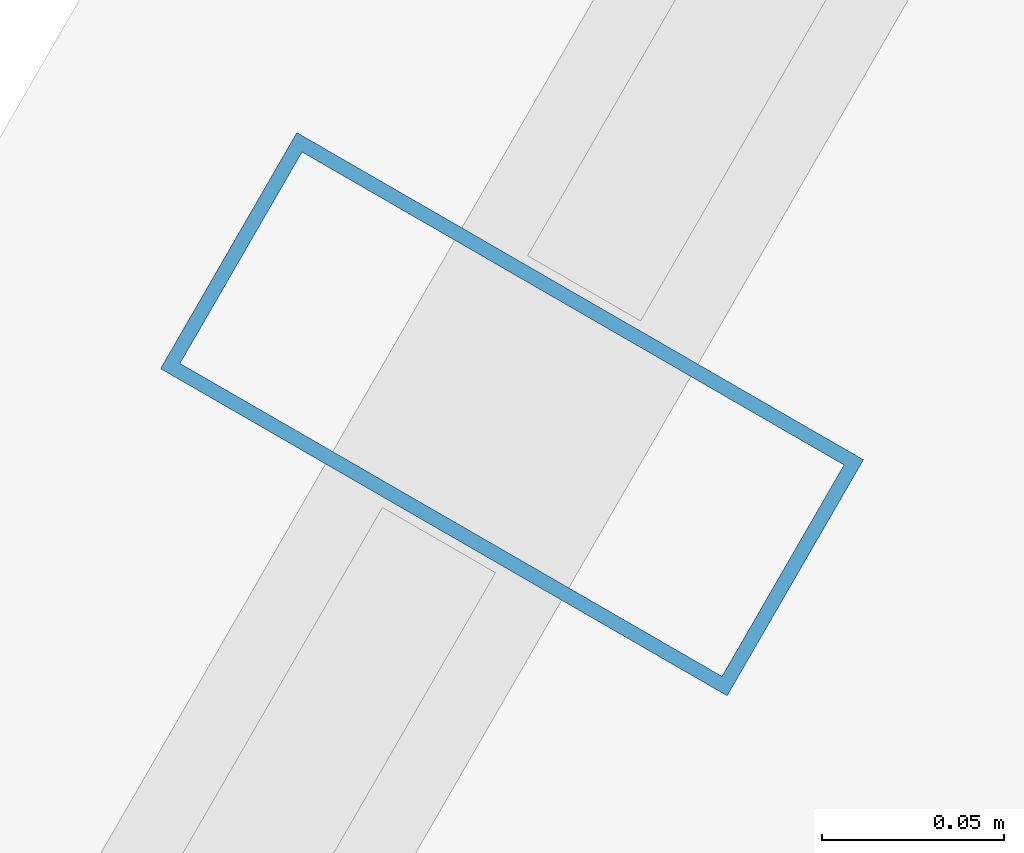
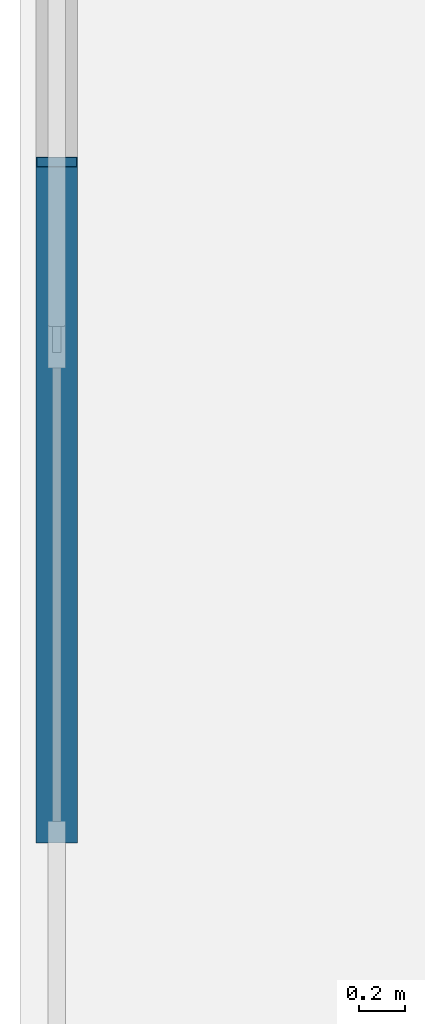
# One storey, part 13 of 31: 1 member, 1 element without a shape of its own.
"""IFC4 building model written with IfcOpenShell, lengths in metres."""

from ifc_helpers import new_model, si_unit, direction, frame, origin, origin_2d, place, context, subcontext, project, spatial, hollow_rectangle, extrude, material, layer, layer_set, material_profile, profile_set, type_object, element, aggregate, save


model = new_model("IFC4")

# Units and contexts
model_context = context("Model", 3, precision=1e-05, world=origin(), true_north=direction((0.0, 1.0)))
body_context = subcontext(model_context, "Body", "Model", "MODEL_VIEW")
ifc_project = project(units=[si_unit("LENGTHUNIT", "METRE"), si_unit("AREAUNIT", "SQUARE_METRE"), si_unit("VOLUMEUNIT", "CUBIC_METRE"), si_unit("PLANEANGLEUNIT", "RADIAN"), si_unit("MASSUNIT", "GRAM", prefix="KILO")], contexts=[model_context])

# Site, building, storey
site_placement = place(None, origin())
site = spatial("IfcSite", under=ifc_project, at=site_placement, CompositionType="ELEMENT")
building_placement = place(site_placement, origin())
building = spatial("IfcBuilding", under=site, at=building_placement, Name="Ndaravel Arena Tower", CompositionType="ELEMENT")
storey_placement = place(building_placement, frame((0.0, 0.0, 146.0)))
storey = spatial("IfcBuildingStorey", under=building, at=storey_placement, Name="L34", CompositionType="ELEMENT", Elevation=146.0)

# Curtain wall, member
ifc_material_1 = material(Name="Aluminium", Category="aluminium")
ifc_layer = layer(ifc_material_1, 0.179931640625)
ifc_layer_set = layer_set([ifc_layer], Name="Aluminium")
curtain_wall_type = type_object("IfcCurtainWallType", Name="CW-SYS-03", PredefinedType="NOTDEFINED", material=ifc_layer_set)
curtain_wall_placement = place(storey_placement, origin())
curtain_wall = element("IfcCurtainWall", 1, at=curtain_wall_placement, inside=storey, type_object=curtain_wall_type, Name="L34 Faceted Crystal Curtain Wall CW-L34-E05", PredefinedType="NOTDEFINED")
ifc_material_2 = material(Name="Aluminium", Category="aluminium")
ifc_material_profile = material_profile(ifc_material_2, hollow_rectangle(XDim=0.074951171875, YDim=0.179931640625, WallThickness=0.00390625, at=origin_2d()), Name="CW MULLION 75x180x4")
ifc_profile_set = profile_set([ifc_material_profile], Name="Aluminium")
member_type = type_object("IfcMemberType", Name="MEM-CW-MUL180", PredefinedType="MULLION", material=ifc_profile_set)
member_placement = place(storey_placement, frame((29.460693359375, 34.5693359375, 0.0), z_axis=(0.0, 0.0, 1.0), x_axis=(-0.5, -0.866025403784, 0.0)))
member = element("IfcMember", 2, at=member_placement, type_object=member_type, Name="CW-L34-E05 Mullion 03", PredefinedType="MULLION", context=body_context, shape_type="SweptSolid", body=[
    extrude(hollow_rectangle(XDim=0.074951171875, YDim=0.179931640625, WallThickness=0.00390625, at=origin_2d()), origin(), (0.0, 0.0, 1.0), 3.580078125),
])
aggregate(curtain_wall, [member])

save(model, "model.ifc")
